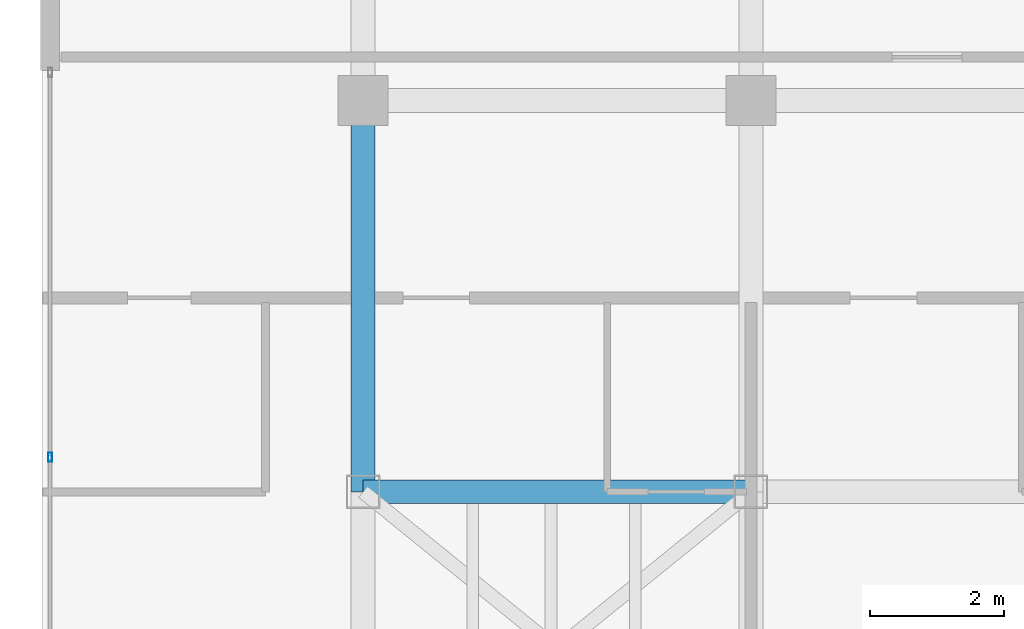
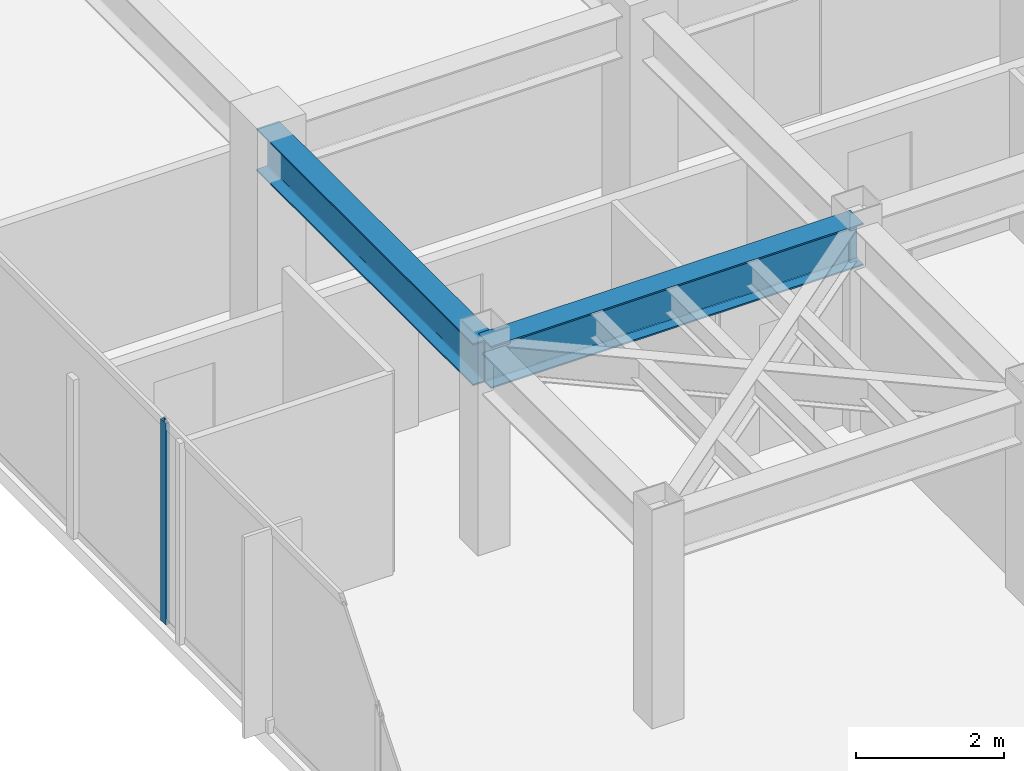
# One storey, part 4 of 19: 2 beams, 1 member, 1 element without a shape of its own.
"""IFC4 building model written with IfcOpenShell, lengths in metres."""

from ifc_helpers import new_model, si_unit, direction, frame, origin, origin_2d, place, context, subcontext, project, spatial, hollow_rectangle, i_section, extrude, material, layer, layer_set, material_profile, profile_set, type_object, element, aggregate, save


model = new_model("IFC4")

# Units and contexts
model_context = context("Model", 3, precision=1e-05, world=origin(), true_north=direction((0.0, 1.0)))
body_context = subcontext(model_context, "Body", "Model", "MODEL_VIEW")
ifc_project = project(units=[si_unit("LENGTHUNIT", "METRE"), si_unit("AREAUNIT", "SQUARE_METRE"), si_unit("VOLUMEUNIT", "CUBIC_METRE"), si_unit("PLANEANGLEUNIT", "RADIAN"), si_unit("MASSUNIT", "GRAM", prefix="KILO")], contexts=[model_context])

# Site, building, storey
site_placement = place(None, origin())
site = spatial("IfcSite", under=ifc_project, at=site_placement, CompositionType="ELEMENT")
building_placement = place(site_placement, origin())
building = spatial("IfcBuilding", under=site, at=building_placement, Name="Kravanh Interchange Tower", CompositionType="ELEMENT")
storey_placement = place(building_placement, frame((0.0, 0.0, 274.199951171875)))
storey = spatial("IfcBuildingStorey", under=building, at=storey_placement, Name="L67", CompositionType="ELEMENT", Elevation=274.199951171875)

# Curtain wall, member
ifc_material_1 = material(Name="Anodised Bronze Aluminium", Category="aluminium")
ifc_layer = layer(ifc_material_1, 0.179931640625)
ifc_layer_set = layer_set([ifc_layer], Name="Unitised Curtain Wall System CW-HTL Luxury Hotel")
curtain_wall_type = type_object("IfcCurtainWallType", Name="Unitised Curtain Wall System CW-HTL Luxury Hotel", PredefinedType="NOTDEFINED", material=ifc_layer_set)
curtain_wall_placement = place(storey_placement, origin())
curtain_wall = element("IfcCurtainWall", 1, at=curtain_wall_placement, inside=storey, type_object=curtain_wall_type, Name="L67 Unitised Curtain Wall CW-L67-01", PredefinedType="NOTDEFINED")
ifc_material_2 = material(Name="Anodised Bronze Aluminium", Category="aluminium")
ifc_material_profile_1 = material_profile(ifc_material_2, hollow_rectangle(XDim=0.06005859375, YDim=0.139892578125, WallThickness=0.00390625, at=origin_2d()), Name="ALU60X140X4")
ifc_profile_set_1 = profile_set([ifc_material_profile_1], Name="Anodised Bronze Aluminium")
member_type = type_object("IfcMemberType", Name="Curtain Wall Mullion ALU60X140X4 Bronze", PredefinedType="MULLION", material=ifc_profile_set_1)
member_placement = place(storey_placement, frame((28.1201171875, 32.0166015625, 0.0), z_axis=(0.0, 0.0, 1.0), x_axis=(-1.0, 0.0, 0.0)))
member = element("IfcMember", 2, at=member_placement, type_object=member_type, Name="CW-HTL mullion 3", PredefinedType="MULLION", context=body_context, shape_type="SweptSolid", body=[
    extrude(hollow_rectangle(XDim=0.06005859375, YDim=0.139892578125, WallThickness=0.00390625, at=origin_2d()), origin(), (0.0, 0.0, 1.0), 3.320068359375),
])
aggregate(curtain_wall, [member])

# Beams
ifc_material_3 = material(Name="Structural Steel S355", Category="steel")
ifc_material_profile_2 = material_profile(ifc_material_3, i_section(OverallWidth=0.35498046875, OverallDepth=0.696044921875, WebThickness=0.015380859375, FlangeThickness=0.02490234375, FilletRadius=0.02392578125, at=origin_2d()), Name="W27X146")
ifc_profile_set_2 = profile_set([ifc_material_profile_2], Name="Structural Steel S355")
beam_type = type_object("IfcBeamType", Name="Floor Beam W27X146 Structural Steel S355", PredefinedType="BEAM", material=ifc_profile_set_2)
beam_1_placement = place(storey_placement, frame((38.60009765625, 31.5, 2.97216796875), z_axis=(-1.0, 0.0, 0.0), x_axis=(0.0, -1.0, 0.0)))
element("IfcBeam", 3, at=beam_1_placement, inside=storey, type_object=beam_type, Name="L67 Primary Floor Girder 18", PredefinedType="BEAM", context=body_context, shape_type="SweptSolid", body=[
    extrude(i_section(OverallWidth=0.35498046875, OverallDepth=0.696044921875, WebThickness=0.015380859375, FlangeThickness=0.02490234375, FilletRadius=0.02392578125, at=origin_2d()), origin(), (0.0, 0.0, 1.0), 5.800048828125),
])
beam_2_placement = place(storey_placement, frame((32.800048828125, 31.5, 2.97216796875), z_axis=(0.0, 1.0, 0.0), x_axis=(-1.0, 0.0, 0.0)))
element("IfcBeam", 4, at=beam_2_placement, inside=storey, type_object=beam_type, Name="L67 Primary Floor Girder 22", PredefinedType="BEAM", context=body_context, shape_type="SweptSolid", body=[
    extrude(i_section(OverallWidth=0.35498046875, OverallDepth=0.696044921875, WebThickness=0.015380859375, FlangeThickness=0.02490234375, FilletRadius=0.02392578125, at=origin_2d()), origin(), (0.0, 0.0, 1.0), 5.85009765625),
])

save(model, "model.ifc")
